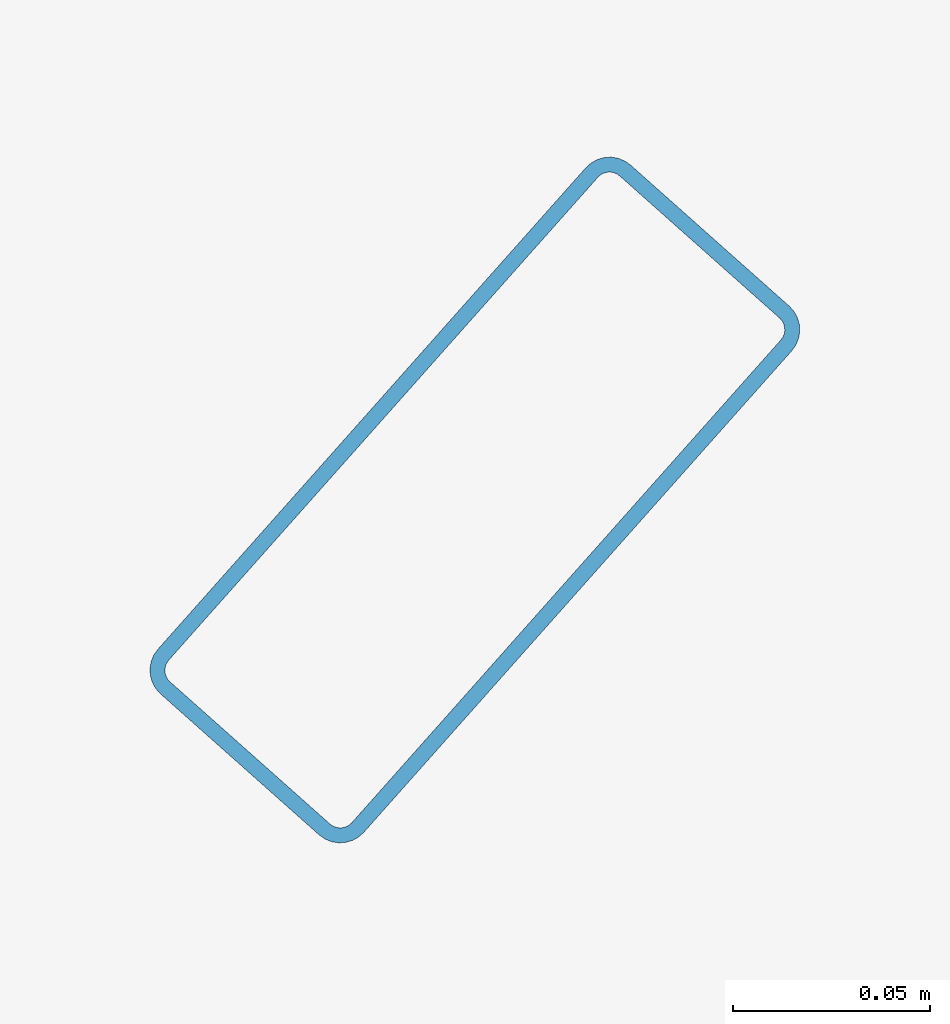
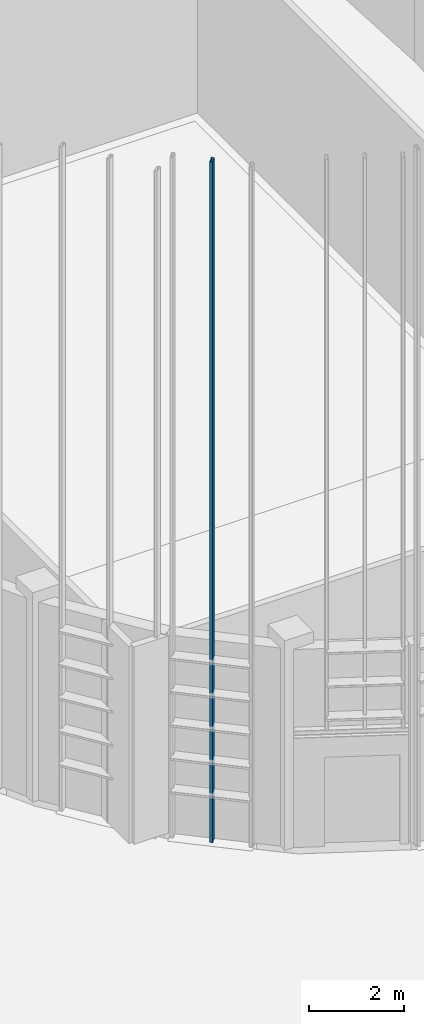
# One storey, part 153 of 372: 1 member.
"""IFC4 building model written with IfcOpenShell, lengths in metres."""

from ifc_helpers import new_model, si_unit, direction, frame, origin, origin_2d, place, context, subcontext, project, spatial, hollow_rectangle, extrude, material, material_profile, profile_set, type_object, element, save


model = new_model("IFC4")

# Units and contexts
model_context = context("Model", 3, precision=1e-05, world=origin(), true_north=direction((0.0, 1.0)))
body_context = subcontext(model_context, "Body", "Model", "MODEL_VIEW")
ifc_project = project(units=[si_unit("LENGTHUNIT", "METRE"), si_unit("AREAUNIT", "SQUARE_METRE"), si_unit("VOLUMEUNIT", "CUBIC_METRE"), si_unit("PLANEANGLEUNIT", "RADIAN"), si_unit("MASSUNIT", "GRAM", prefix="KILO")], contexts=[model_context])

# Site, building, storey
site_placement = place(None, origin())
site = spatial("IfcSite", under=ifc_project, at=site_placement, CompositionType="ELEMENT")
building_placement = place(site_placement, origin())
building = spatial("IfcBuilding", under=site, at=building_placement, Name="Kaelora Sail Theatre", CompositionType="ELEMENT")
storey_placement = place(building_placement, origin())
storey = spatial("IfcBuildingStorey", under=building, at=storey_placement, Name="L00", CompositionType="ELEMENT", Elevation=0.0)

# Member
ifc_material = material(Name="Anodised aluminium 6063-T6", Category="aluminium")
ifc_material_profile = material_profile(ifc_material, hollow_rectangle(XDim=0.070068359375, YDim=0.179931640625, WallThickness=0.00390625, InnerFilletRadius=0.00390625, OuterFilletRadius=0.008056640625, at=origin_2d()), Name="ALU-MULL 70x180x4")
ifc_profile_set = profile_set([ifc_material_profile], Name="Anodised aluminium 6063-T6")
member_type = type_object("IfcMemberType", Name="ARC-MEM-PST-160", PredefinedType="POST", material=ifc_profile_set)
member_placement = place(storey_placement, frame((129.302001953125, 26.228515625, 0.0), z_axis=(0.0, 0.0, 1.0), x_axis=(-0.747450357056, 0.664317667789, 0.0)))
element("IfcMember", 1, at=member_placement, inside=storey, type_object=member_type, Name="Black-Box and Experimental Sail Wing solar louvre vertical support post C13-2", PredefinedType="POST", context=body_context, shape_type="SweptSolid", body=[
    extrude(hollow_rectangle(XDim=0.070068359375, YDim=0.179931640625, WallThickness=0.00390625, InnerFilletRadius=0.00390625, OuterFilletRadius=0.008056640625, at=origin_2d()), origin(), (0.0, 0.0, 1.0), 17.541015625),
])

save(model, "model.ifc")
